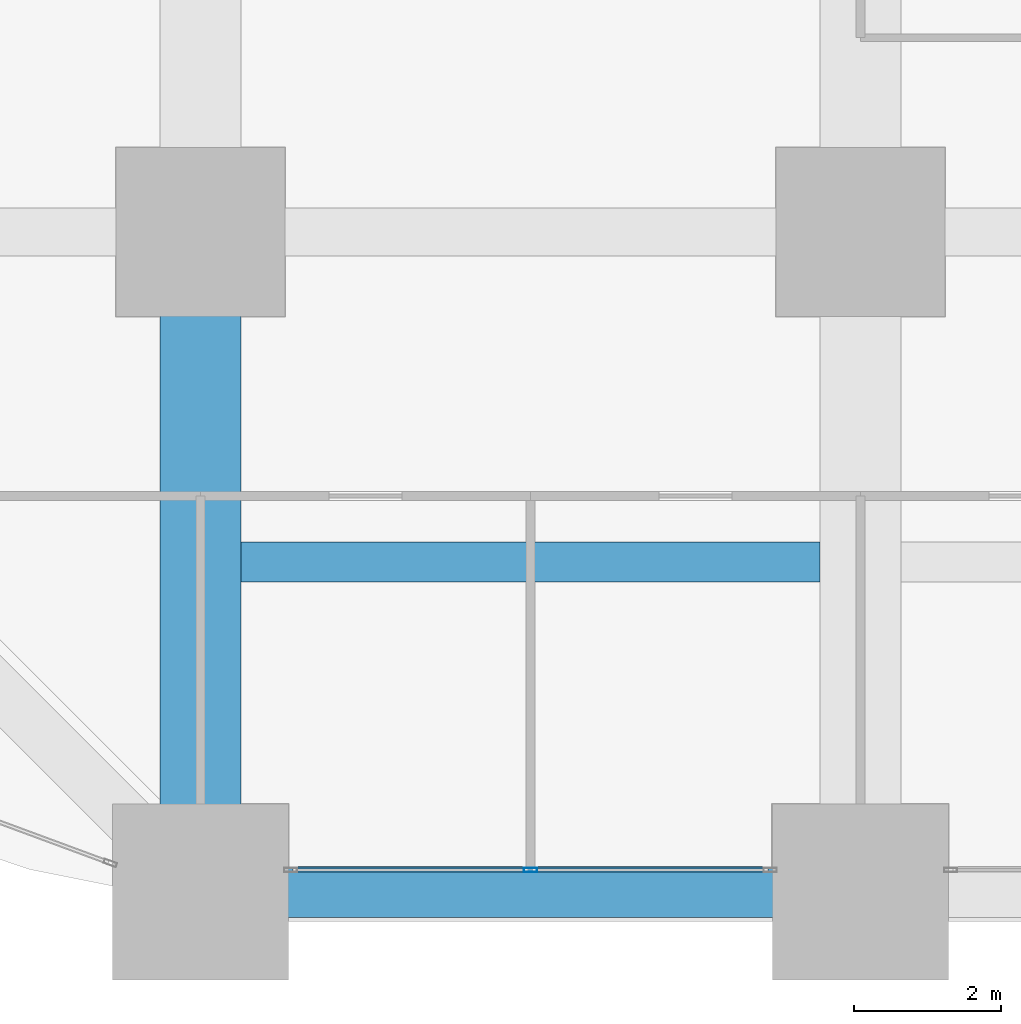
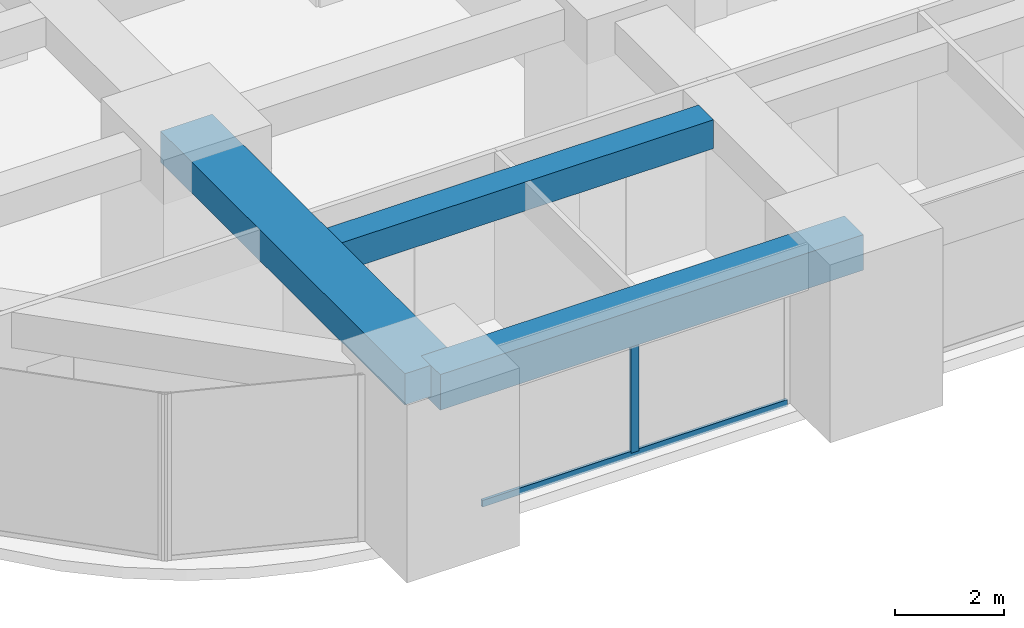
# One storey, part 3 of 45: 3 beams, 2 members, 1 element without a shape of its own.
"""IFC4 building model written with IfcOpenShell, lengths in metres."""

from ifc_helpers import new_model, si_unit, direction, frame, origin, origin_2d, place, context, subcontext, project, spatial, rectangle, hollow_rectangle, extrude, material, material_profile, profile_set, type_object, element, aggregate, save


model = new_model("IFC4")

# Units and contexts
model_context = context("Model", 3, precision=1e-05, world=origin(), true_north=direction((0.0, 1.0)))
body_context = subcontext(model_context, "Body", "Model", "MODEL_VIEW")
ifc_project = project(units=[si_unit("LENGTHUNIT", "METRE"), si_unit("AREAUNIT", "SQUARE_METRE"), si_unit("VOLUMEUNIT", "CUBIC_METRE"), si_unit("PLANEANGLEUNIT", "RADIAN"), si_unit("MASSUNIT", "GRAM", prefix="KILO")], contexts=[model_context])

# Site, building, storey
site_placement = place(None, origin())
site = spatial("IfcSite", under=ifc_project, at=site_placement, CompositionType="ELEMENT")
building_placement = place(site_placement, origin())
building = spatial("IfcBuilding", under=site, at=building_placement, Name="Zorevar Civic Tower", CompositionType="ELEMENT")
storey_placement = place(building_placement, frame((0.0, 0.0, 47.800048828125)))
storey = spatial("IfcBuildingStorey", under=building, at=storey_placement, Name="L11", CompositionType="ELEMENT", Elevation=47.800048828125)

# Beams
ifc_material_1 = material(Name="Concrete C50/60", Category="concrete")
ifc_material_profile_1 = material_profile(ifc_material_1, rectangle(XDim=1.10009765625, YDim=0.699951171875, at=origin_2d()), Name="RC 1100x700")
ifc_profile_set_1 = profile_set([ifc_material_profile_1], Name="Concrete C50/60")
beam_type_1 = type_object("IfcBeamType", Name="Beam RC 1100x700", PredefinedType="BEAM", material=ifc_profile_set_1)
beam_1_placement = place(storey_placement, frame((9.0, 0.0, 3.39990234375), z_axis=(0.0, 1.0, 0.0), x_axis=(-1.0, 0.0, 0.0)))
element("IfcBeam", 1, at=beam_1_placement, inside=storey, type_object=beam_type_1, Name="Girder L12", PredefinedType="BEAM", context=body_context, shape_type="SweptSolid", body=[
    extrude(rectangle(XDim=1.10009765625, YDim=0.699951171875, at=origin_2d()), origin(), (0.0, 0.0, 1.0), 9.0),
])
ifc_material_2 = material(Name="Concrete C50/60", Category="concrete")
ifc_material_profile_2 = material_profile(ifc_material_2, rectangle(XDim=0.550048828125, YDim=0.64990234375, at=origin_2d()), Name="RC 550x650")
ifc_profile_set_2 = profile_set([ifc_material_profile_2], Name="Concrete C50/60")
beam_type_2 = type_object("IfcBeamType", Name="Beam RC 550x650", PredefinedType="BEAM", material=ifc_profile_set_2)
beam_2_placement = place(storey_placement, frame((9.550048828125, 4.5, 3.425048828125), z_axis=(1.0, 0.0, 0.0), x_axis=(0.0, 1.0, 0.0)))
element("IfcBeam", 2, at=beam_2_placement, inside=storey, type_object=beam_type_2, Name="Secondary beam L12", PredefinedType="BEAM", context=body_context, shape_type="SweptSolid", body=[
    extrude(rectangle(XDim=0.550048828125, YDim=0.64990234375, at=origin_2d()), origin(), (0.0, 0.0, 1.0), 7.89990234375),
])

# Curtain wall, members
ifc_material_3 = material(Name="Dark grey solar-control glass in black aluminium frame", Category="aluminium")
curtain_wall_type = type_object("IfcCurtainWallType", Name="Curtain wall CW2 low zone", PredefinedType="NOTDEFINED", material=ifc_material_3)
curtain_wall_placement = place(storey_placement, origin())
curtain_wall = element("IfcCurtainWall", 3, at=curtain_wall_placement, inside=storey, type_object=curtain_wall_type, Name="CW2 L11", PredefinedType="NOTDEFINED")
ifc_material_4 = material(Name="Aluminium, black anodised", Category="aluminium")
ifc_material_profile_3 = material_profile(ifc_material_4, hollow_rectangle(XDim=0.06005859375, YDim=0.179931640625, WallThickness=0.00390625, at=origin_2d()), Name="AL 180x60x4")
ifc_profile_set_3 = profile_set([ifc_material_profile_3], Name="Aluminium, black anodised")
member_type_1 = type_object("IfcMemberType", Name="CW2 mullion AL 180x60x4", PredefinedType="MULLION", material=ifc_profile_set_3)
member_1_placement = place(storey_placement, frame((13.5, 0.300048828125, 0.06005859375), z_axis=(0.0, 0.0, 1.0), x_axis=(0.0, 1.0, 0.0)))
member_1 = element("IfcMember", 4, at=member_1_placement, type_object=member_type_1, Name="CW2 mullion 2", PredefinedType="MULLION", context=body_context, shape_type="SweptSolid", body=[
    extrude(hollow_rectangle(XDim=0.06005859375, YDim=0.179931640625, WallThickness=0.00390625, at=origin_2d()), origin(), (0.0, 0.0, 1.0), 2.889892578125),
])
ifc_material_5 = material(Name="Aluminium, black anodised", Category="aluminium")
ifc_material_profile_4 = material_profile(ifc_material_5, hollow_rectangle(XDim=0.06005859375, YDim=0.14990234375, WallThickness=0.00390625, at=origin_2d()), Name="AL 150x60x4")
ifc_profile_set_4 = profile_set([ifc_material_profile_4], Name="Aluminium, black anodised")
member_type_2 = type_object("IfcMemberType", Name="CW2 transom AL 150x60x4", PredefinedType="USERDEFINED", material=ifc_profile_set_4)
member_2_placement = place(storey_placement, frame((10.260009765625, 0.300048828125, 0.030029296875), z_axis=(1.0, 0.0, 0.0), x_axis=(0.0, 1.0, 0.0)))
member_2 = element("IfcMember", 5, at=member_2_placement, type_object=member_type_2, Name="CW2 sill transom", ObjectType="TRANSOM", PredefinedType="USERDEFINED", context=body_context, shape_type="SweptSolid", body=[
    extrude(hollow_rectangle(XDim=0.06005859375, YDim=0.14990234375, WallThickness=0.00390625, at=origin_2d()), origin(), (0.0, 0.0, 1.0), 6.47998046875),
])
aggregate(curtain_wall, [member_1, member_2])

# Beam
ifc_material_6 = material(Name="Concrete C50/60", Category="concrete")
ifc_material_profile_5 = material_profile(ifc_material_6, rectangle(XDim=0.699951171875, YDim=0.800048828125, at=origin_2d()), Name="RC 700x800")
ifc_profile_set_5 = profile_set([ifc_material_profile_5], Name="Concrete C50/60")
beam_type_3 = type_object("IfcBeamType", Name="Edge beam RC 700x800", PredefinedType="SPANDREL", material=ifc_profile_set_5)
beam_3_placement = place(storey_placement, frame((9.0, 0.0, 3.349853515625), z_axis=(1.0, 0.0, 0.0), x_axis=(0.0, 1.0, 0.0)))
element("IfcBeam", 6, at=beam_3_placement, inside=storey, type_object=beam_type_3, Name="Edge beam L12", PredefinedType="SPANDREL", context=body_context, shape_type="SweptSolid", body=[
    extrude(rectangle(XDim=0.699951171875, YDim=0.800048828125, at=origin_2d()), origin(), (0.0, 0.0, 1.0), 9.0),
])

save(model, "model.ifc")
